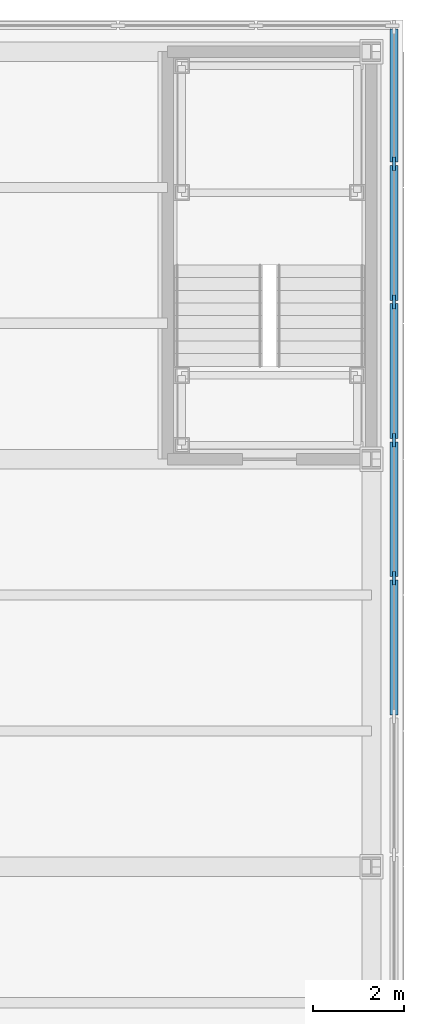
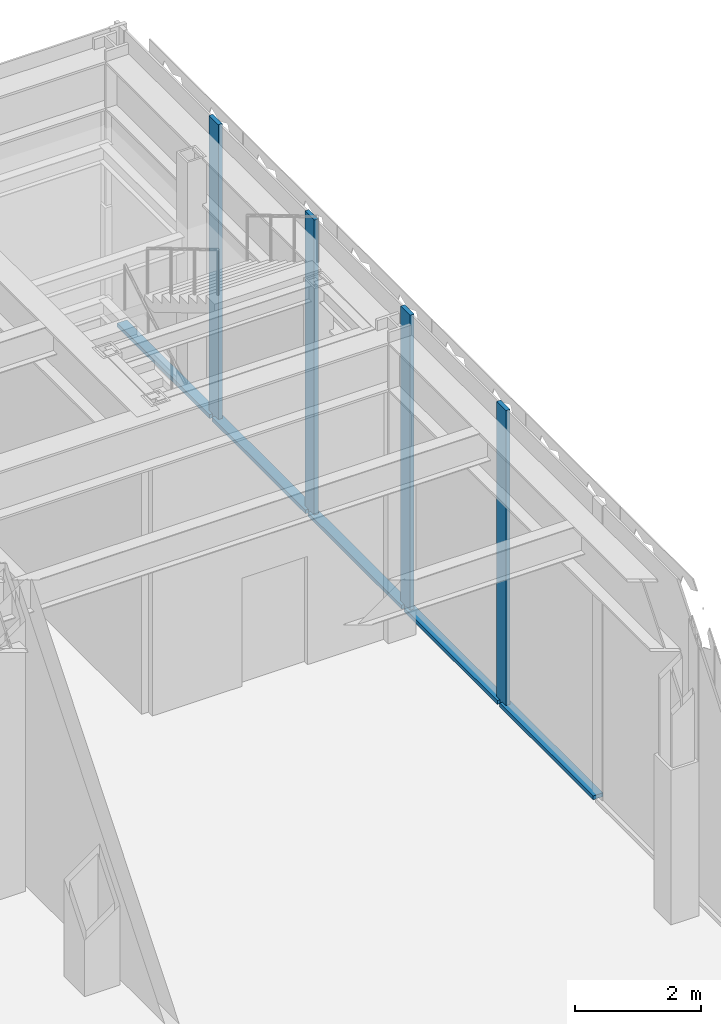
# One storey, part 10 of 32: 9 members, 1 element without a shape of its own.
"""IFC4 building model written with IfcOpenShell, lengths in metres."""

from ifc_helpers import new_model, si_unit, direction, frame, origin, origin_2d, place, context, subcontext, project, spatial, rectangle, extrude, material, layer, layer_set, material_profile, profile_set, type_object, element, aggregate, save


model = new_model("IFC4")

# Units and contexts
model_context = context("Model", 3, precision=1e-05, world=origin(), true_north=direction((0.0, 1.0)))
body_context = subcontext(model_context, "Body", "Model", "MODEL_VIEW")
ifc_project = project(units=[si_unit("LENGTHUNIT", "METRE"), si_unit("AREAUNIT", "SQUARE_METRE"), si_unit("VOLUMEUNIT", "CUBIC_METRE"), si_unit("PLANEANGLEUNIT", "RADIAN"), si_unit("MASSUNIT", "GRAM", prefix="KILO")], contexts=[model_context])

# Site, building, storey
site_placement = place(None, origin())
site = spatial("IfcSite", under=ifc_project, at=site_placement, CompositionType="ELEMENT")
building_placement = place(site_placement, origin())
building = spatial("IfcBuilding", under=site, at=building_placement, Name="Chuquiago Exchange Tower", CompositionType="ELEMENT")
storey_placement = place(building_placement, frame((0.0, 0.0, 13.5)))
storey = spatial("IfcBuildingStorey", under=building, at=storey_placement, Name="L02", CompositionType="ELEMENT", Elevation=13.5)

# Curtain wall, members
ifc_material_1 = material(Name="Aluminium curtain wall system", Category="aluminium")
ifc_layer = layer(ifc_material_1, 0.300048828125)
ifc_layer_set = layer_set([ifc_layer], Name="CW4 podium curtain wall")
curtain_wall_type = type_object("IfcCurtainWallType", Name="CW4 podium curtain wall", PredefinedType="NOTDEFINED", material=ifc_layer_set)
curtain_wall_placement = place(storey_placement, origin())
curtain_wall = element("IfcCurtainWall", 1, at=curtain_wall_placement, inside=storey, type_object=curtain_wall_type, Name="CW4 curtain wall L02", PredefinedType="NOTDEFINED")
ifc_material_2 = material(Name="Aluminium mullion, pale anodised", Category="aluminium")
ifc_material_profile_1 = material_profile(ifc_material_2, rectangle(XDim=0.074951171875, YDim=0.300048828125, at=origin_2d()), Name="AL 75x300")
ifc_profile_set_1 = profile_set([ifc_material_profile_1], Name="Aluminium mullion, pale anodised")
member_type_1 = type_object("IfcMemberType", Name="CW4-M mullion 75x300", PredefinedType="MULLION", material=ifc_profile_set_1)
member_1_placement = place(storey_placement, frame((54.5, 33.3701171875, 0.0), z_axis=(0.0, 0.0, 1.0), x_axis=(-1.0, 0.0, 0.0)))
member_1 = element("IfcMember", 2, at=member_1_placement, type_object=member_type_1, Name="CW4 mullion 18", PredefinedType="MULLION", context=body_context, shape_type="SweptSolid", body=[
    extrude(rectangle(XDim=0.074951171875, YDim=0.300048828125, at=origin_2d()), origin(), (0.0, 0.0, 1.0), 5.800048828125),
])
member_2_placement = place(storey_placement, frame((54.5, 36.42138671875, 0.0), z_axis=(0.0, 0.0, 1.0), x_axis=(-1.0, 0.0, 0.0)))
member_2 = element("IfcMember", 3, at=member_2_placement, type_object=member_type_1, Name="CW4 mullion 19", PredefinedType="MULLION", context=body_context, shape_type="SweptSolid", body=[
    extrude(rectangle(XDim=0.074951171875, YDim=0.300048828125, at=origin_2d()), origin(), (0.0, 0.0, 1.0), 5.800048828125),
])
member_3_placement = place(storey_placement, frame((54.5, 39.47265625, 0.0), z_axis=(0.0, 0.0, 1.0), x_axis=(-1.0, 0.0, 0.0)))
member_3 = element("IfcMember", 4, at=member_3_placement, type_object=member_type_1, Name="CW4 mullion 20", PredefinedType="MULLION", context=body_context, shape_type="SweptSolid", body=[
    extrude(rectangle(XDim=0.074951171875, YDim=0.300048828125, at=origin_2d()), origin(), (0.0, 0.0, 1.0), 5.800048828125),
])
member_4_placement = place(storey_placement, frame((54.5, 42.52392578125, 0.0), z_axis=(0.0, 0.0, 1.0), x_axis=(-1.0, 0.0, 0.0)))
member_4 = element("IfcMember", 5, at=member_4_placement, type_object=member_type_1, Name="CW4 mullion 21", PredefinedType="MULLION", context=body_context, shape_type="SweptSolid", body=[
    extrude(rectangle(XDim=0.074951171875, YDim=0.300048828125, at=origin_2d()), origin(), (0.0, 0.0, 1.0), 5.800048828125),
])
ifc_material_3 = material(Name="Aluminium transom, pale anodised", Category="aluminium")
ifc_material_profile_2 = material_profile(ifc_material_3, rectangle(XDim=0.179931640625, YDim=0.074951171875, at=origin_2d()), Name="AL 180x75")
ifc_profile_set_2 = profile_set([ifc_material_profile_2], Name="Aluminium transom, pale anodised")
member_type_2 = type_object("IfcMemberType", Name="CW4-T transom 75x180", PredefinedType="MULLION", material=ifc_profile_set_2)
member_5_placement = place(storey_placement, frame((54.5, 30.3564453125, 0.03759765625), z_axis=(0.0, 1.0, 0.0), x_axis=(-1.0, 0.0, 0.0)))
member_5 = element("IfcMember", 6, at=member_5_placement, type_object=member_type_2, Name="CW4 transom 17.1", PredefinedType="MULLION", context=body_context, shape_type="SweptSolid", body=[
    extrude(rectangle(XDim=0.179931640625, YDim=0.074951171875, at=origin_2d()), origin(), (0.0, 0.0, 1.0), 2.976318359375),
])
member_6_placement = place(storey_placement, frame((54.5, 33.40771484375, 0.03759765625), z_axis=(0.0, 1.0, 0.0), x_axis=(-1.0, 0.0, 0.0)))
member_6 = element("IfcMember", 7, at=member_6_placement, type_object=member_type_2, Name="CW4 transom 18.1", PredefinedType="MULLION", context=body_context, shape_type="SweptSolid", body=[
    extrude(rectangle(XDim=0.179931640625, YDim=0.074951171875, at=origin_2d()), origin(), (0.0, 0.0, 1.0), 2.976318359375),
])
member_7_placement = place(storey_placement, frame((54.5, 36.458984375, 0.03759765625), z_axis=(0.0, 1.0, 0.0), x_axis=(-1.0, 0.0, 0.0)))
member_7 = element("IfcMember", 8, at=member_7_placement, type_object=member_type_2, Name="CW4 transom 19.1", PredefinedType="MULLION", context=body_context, shape_type="SweptSolid", body=[
    extrude(rectangle(XDim=0.179931640625, YDim=0.074951171875, at=origin_2d()), origin(), (0.0, 0.0, 1.0), 2.97607421875),
])
member_8_placement = place(storey_placement, frame((54.5, 39.510009765625, 0.03759765625), z_axis=(0.0, 1.0, 0.0), x_axis=(-1.0, 0.0, 0.0)))
member_8 = element("IfcMember", 9, at=member_8_placement, type_object=member_type_2, Name="CW4 transom 20.1", PredefinedType="MULLION", context=body_context, shape_type="SweptSolid", body=[
    extrude(rectangle(XDim=0.179931640625, YDim=0.074951171875, at=origin_2d()), origin(), (0.0, 0.0, 1.0), 2.976318359375),
])
member_9_placement = place(storey_placement, frame((54.5, 42.561279296875, 0.03759765625), z_axis=(0.0, 1.0, 0.0), x_axis=(-1.0, 0.0, 0.0)))
member_9 = element("IfcMember", 10, at=member_9_placement, type_object=member_type_2, Name="CW4 transom 21.1", PredefinedType="MULLION", context=body_context, shape_type="SweptSolid", body=[
    extrude(rectangle(XDim=0.179931640625, YDim=0.074951171875, at=origin_2d()), origin(), (0.0, 0.0, 1.0), 2.938720703125),
])
aggregate(curtain_wall, [member_1, member_2, member_3, member_4, member_5, member_6, member_7, member_8, member_9])

save(model, "model.ifc")
